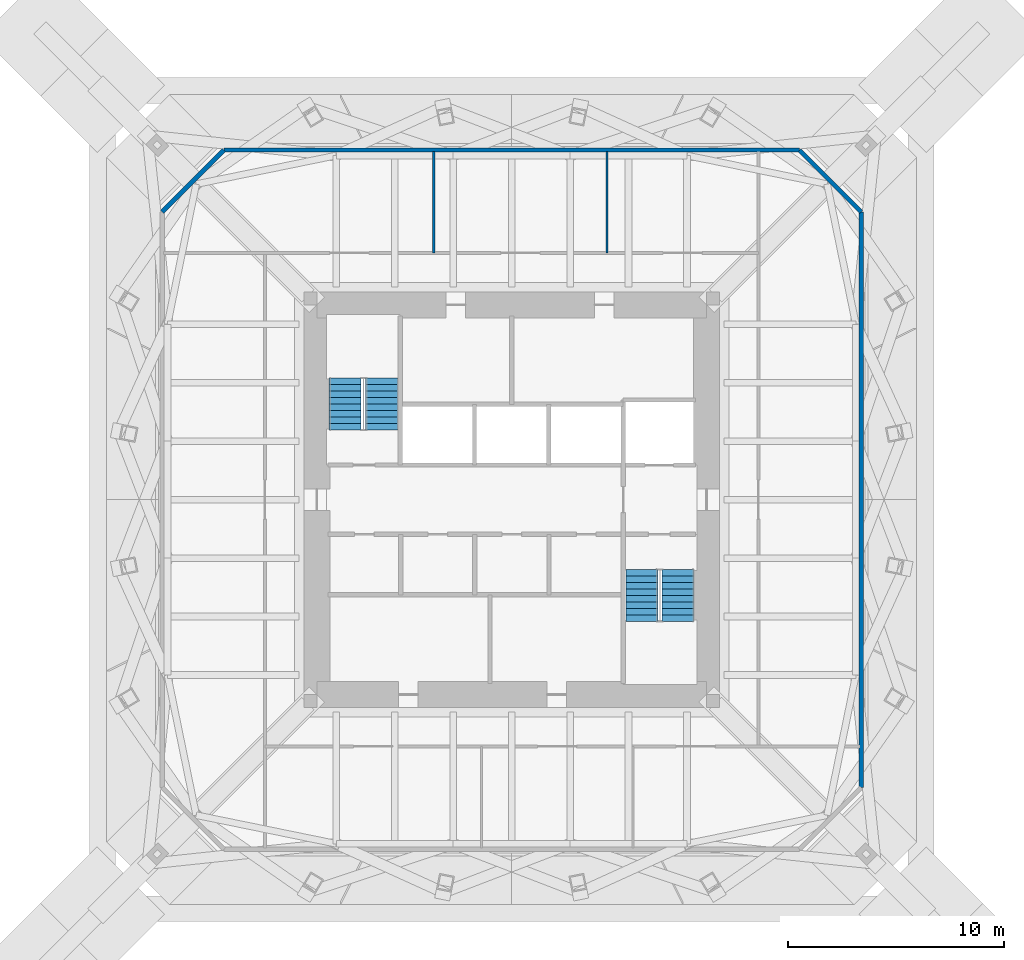
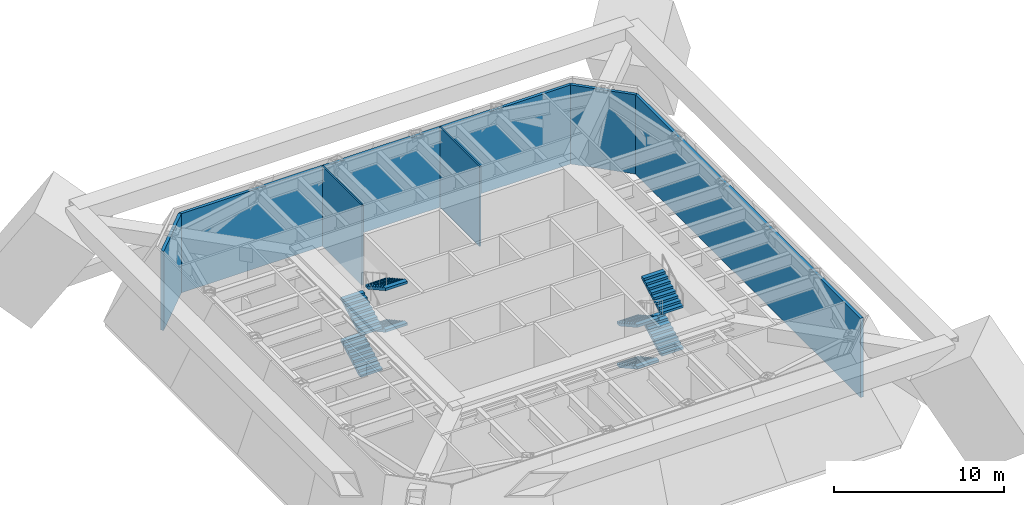
# One storey, part 5 of 6: 8 stair flights, 6 walls, 2 elements without a shape of their own.
"""IFC4 building model written with IfcOpenShell, lengths in metres."""

from ifc_helpers import new_model, si_unit, direction, frame, frame_2d, origin, place, context, subcontext, project, spatial, polyline, rectangle, outline, extrude, material, layer, layer_set, constituent, constituent_set, type_object, element, aggregate, save


model = new_model("IFC4")

# Units and contexts
model_context = context("Model", 3, precision=1e-05, world=origin(), true_north=direction((0.0, 1.0)))
body_context = subcontext(model_context, "Body", "Model", "MODEL_VIEW")
ifc_project = project(units=[si_unit("LENGTHUNIT", "METRE"), si_unit("AREAUNIT", "SQUARE_METRE"), si_unit("VOLUMEUNIT", "CUBIC_METRE"), si_unit("PLANEANGLEUNIT", "RADIAN"), si_unit("MASSUNIT", "GRAM", prefix="KILO")], contexts=[model_context])

# Site, building, storey
site_placement = place(None, origin())
site = spatial("IfcSite", under=ifc_project, at=site_placement, CompositionType="ELEMENT")
building_placement = place(site_placement, origin())
building = spatial("IfcBuilding", under=site, at=building_placement, Name="Iwan Alto Co-Living Towers", CompositionType="ELEMENT")
storey_placement = place(building_placement, frame((0.0, 0.0, 209.0)))
storey = spatial("IfcBuildingStorey", under=building, at=storey_placement, Name="L57", CompositionType="ELEMENT", Elevation=209.0)

# Walls
ifc_material_1 = material(Name="Gypsum board")
ifc_layer_1 = layer(ifc_material_1, 0.012451171875, Name="Board", Category="Finish")
ifc_material_2 = material(Name="Steel ASTM A1003 ST33H cold-formed studs", Category="steel")
ifc_layer_2 = layer(ifc_material_2, 0.074951171875, Name="Studs", Category="Framing")
ifc_layer_3 = layer(ifc_material_1, 0.012451171875, Name="Board", Category="Finish")
ifc_layer_set_1 = layer_set([ifc_layer_1, ifc_layer_2, ifc_layer_3], Name="PARTITION 100")
wall_type_1 = type_object("IfcWallType", Name="PARTITION 100", PredefinedType="PARTITIONING", material=ifc_layer_set_1)
for number, where, z_axis, x_axis, name in (
    (1, (4.39990234375, 11.39990234375, 0.0), (0.0, 0.0, 1.0), (0.0, 1.0, 0.0), "Partition L57"),
    (2, (-3.60009765625, 11.39990234375, 0.0), (0.0, 0.0, 1.0), (0.0, 1.0, 0.0), "Partition L57"),
):
    element("IfcWall", number, at=place(storey_placement, frame(where, z_axis=z_axis, x_axis=x_axis)), inside=storey, type_object=wall_type_1, Name=name, PredefinedType="PARTITIONING", context=body_context, shape_type="SweptSolid", body=[
        extrude(rectangle(XDim=4.690185546875, YDim=0.10009765625, at=frame_2d((2.34521484375, 0.0))), origin(), (0.0, 0.0, 1.0), 5.77001953125),
    ])
ifc_material_3 = material(Name="Aluminium 6063-T6 bronze anodised", Category="aluminium")
ifc_layer_4 = layer(ifc_material_3, 0.050048828125, Name="Louvred screen", Category="Finish")
ifc_layer_5 = layer(ifc_material_2, 0.14990234375, Name="Studs", Category="Framing")
ifc_layer_set_2 = layer_set([ifc_layer_4, ifc_layer_5], Name="PLANT PLENUM WALL 200")
wall_type_2 = type_object("IfcWallType", Name="PLANT PLENUM WALL 200", PredefinedType="PARTITIONING", material=ifc_layer_set_2)
wall_1_placement = place(storey_placement, frame((16.14990234375, -13.294921875, 0.0), z_axis=(0.0, 0.0, 1.0), x_axis=(0.0, 1.0, 0.0)))
element("IfcWall", 3, at=wall_1_placement, inside=storey, type_object=wall_type_2, Name="T1 plant plenum wall L57 3", PredefinedType="PARTITIONING", context=body_context, shape_type="SweptSolid", body=[
    extrude(rectangle(XDim=26.58984375, YDim=0.199951171875, at=frame_2d((13.294921875, 0.0))), origin(), (0.0, 0.0, 1.0), 5.699951171875),
])
wall_2_placement = place(storey_placement, frame((16.14990234375, 13.294921875, 0.0), z_axis=(0.0, 0.0, 1.0), x_axis=(-0.707106781187, 0.707106781187, 0.0)))
element("IfcWall", 4, at=wall_2_placement, inside=storey, type_object=wall_type_2, Name="T1 plant plenum wall L57 4", PredefinedType="PARTITIONING", context=body_context, shape_type="SweptSolid", body=[
    extrude(rectangle(XDim=4.03759765625, YDim=0.199951171875, at=frame_2d((2.018798828125, 0.0))), origin(), (0.0, 0.0, 1.0), 5.699951171875),
])
wall_3_placement = place(storey_placement, frame((13.294921875, 16.14990234375, 0.0), z_axis=(0.0, 0.0, 1.0), x_axis=(-1.0, 0.0, 0.0)))
element("IfcWall", 5, at=wall_3_placement, inside=storey, type_object=wall_type_2, Name="T1 plant plenum wall L57 5", PredefinedType="PARTITIONING", context=body_context, shape_type="SweptSolid", body=[
    extrude(rectangle(XDim=26.58984375, YDim=0.199951171875, at=frame_2d((13.294921875, 0.0))), origin(), (0.0, 0.0, 1.0), 5.699951171875),
])
wall_4_placement = place(storey_placement, frame((-13.294921875, 16.14990234375, 0.0), z_axis=(0.0, 0.0, 1.0), x_axis=(-0.707106781187, -0.707106781187, 0.0)))
element("IfcWall", 6, at=wall_4_placement, inside=storey, type_object=wall_type_2, Name="T1 plant plenum wall L57 6", PredefinedType="PARTITIONING", context=body_context, shape_type="SweptSolid", body=[
    extrude(rectangle(XDim=4.03759765625, YDim=0.199951171875, at=frame_2d((2.018798828125, 0.0))), origin(), (0.0, 0.0, 1.0), 5.699951171875),
])

# Stair, stair flights
ifc_material_4 = material(Name="Steel ASTM A36", Category="steel")
ifc_constituent_1 = constituent(ifc_material_4, Name="Stringers", Category="LoadBearing")
ifc_material_5 = material(Name="Concrete f'c 30 MPa", Category="concrete")
ifc_constituent_2 = constituent(ifc_material_5, Name="Tread fill", Category="Finish")
ifc_constituent_set_1 = constituent_set(constituents=[ifc_constituent_1, ifc_constituent_2], Name="STAIR 6000 FOUR-FLIGHT T1 CORE")
stair_type = type_object("IfcStairType", Name="STAIR 6000 FOUR-FLIGHT T1 CORE", PredefinedType="HALF_TURN_STAIR", material=ifc_constituent_set_1)
stair_1_placement = place(storey_placement, origin())
stair_1 = element("IfcStair", 7, at=stair_1_placement, inside=storey, type_object=stair_type, Name="Stair T1-S1 L57 to L58", PredefinedType="HALF_TURN_STAIR")
ifc_constituent_3 = constituent(ifc_material_4, Name="Stringers", Category="LoadBearing")
ifc_constituent_4 = constituent(ifc_material_5, Name="Tread fill", Category="Finish")
ifc_constituent_set_2 = constituent_set(constituents=[ifc_constituent_3, ifc_constituent_4], Name="STAIR FLIGHT 9 RISERS 300 GOING")
stair_flight_type = type_object("IfcStairFlightType", Name="STAIR FLIGHT 9 RISERS 300 GOING", PredefinedType="STRAIGHT", material=ifc_constituent_set_2)
stair_flight_1_placement = place(storey_placement, frame((-7.68994140625, 3.219970703125, 0.0), z_axis=(0.0, 0.0, 1.0), x_axis=(0.0, 1.0, 0.0)))
stair_flight_1 = element("IfcStairFlight", 8, at=stair_flight_1_placement, type_object=stair_flight_type, Name="T1-S1 flight 1", NumberOfRisers=9, NumberOfTreads=8, PredefinedType="STRAIGHT", RiserHeight=0.166667, TreadLength=0.3, context=body_context, shape_type="SweptSolid", body=[
    extrude(outline(polyline([(0.0, 0.0), (0.0, 0.166748046875), (0.300048828125, 0.166748046875), (0.300048828125, 0.333251953125), (0.60009765625, 0.333251953125), (0.60009765625, 0.5), (0.89990234375, 0.5), (0.89990234375, 0.666748046875), (1.199951171875, 0.666748046875), (1.199951171875, 0.833251953125), (1.5, 0.833251953125), (1.5, 1.0), (1.800048828125, 1.0), (1.800048828125, 1.166748046875), (2.10009765625, 1.166748046875), (2.10009765625, 1.333251953125), (2.39990234375, 1.333251953125), (2.39990234375, 1.5), (2.39990234375, 1.161865234375), (0.30859375, 0.0), (0.0, 0.0)])), frame((0.0, 0.739990234375, 0.0), z_axis=(0.0, -1.0, 0.0), x_axis=(1.0, 0.0, 0.0)), (0.0, 0.0, 1.0), 1.47998046875),
])
stair_flight_2_placement = place(storey_placement, frame((-6.010009765625, 5.6201171875, 1.5), z_axis=(0.0, 0.0, 1.0), x_axis=(0.0, -1.0, 0.0)))
stair_flight_2 = element("IfcStairFlight", 9, at=stair_flight_2_placement, type_object=stair_flight_type, Name="T1-S1 flight 2", NumberOfRisers=9, NumberOfTreads=8, PredefinedType="STRAIGHT", RiserHeight=0.166667, TreadLength=0.3, context=body_context, shape_type="SweptSolid", body=[
    extrude(outline(polyline([(0.0, 0.0), (0.0, 0.166748046875), (0.300048828125, 0.166748046875), (0.300048828125, 0.333251953125), (0.60009765625, 0.333251953125), (0.60009765625, 0.5), (0.89990234375, 0.5), (0.89990234375, 0.666748046875), (1.199951171875, 0.666748046875), (1.199951171875, 0.833251953125), (1.5, 0.833251953125), (1.5, 1.0), (1.800048828125, 1.0), (1.800048828125, 1.166748046875), (2.10009765625, 1.166748046875), (2.10009765625, 1.333251953125), (2.39990234375, 1.333251953125), (2.39990234375, 1.5), (2.39990234375, 1.161865234375), (0.30859375, 0.0), (0.0, 0.0)])), frame((0.0, 0.739990234375, 0.0), z_axis=(0.0, -1.0, 0.0), x_axis=(1.0, 0.0, 0.0)), (0.0, 0.0, 1.0), 1.47998046875),
])
stair_flight_3_placement = place(storey_placement, frame((-7.68994140625, 3.219970703125, 3.0), z_axis=(0.0, 0.0, 1.0), x_axis=(0.0, 1.0, 0.0)))
stair_flight_3 = element("IfcStairFlight", 10, at=stair_flight_3_placement, type_object=stair_flight_type, Name="T1-S1 flight 3", NumberOfRisers=9, NumberOfTreads=8, PredefinedType="STRAIGHT", RiserHeight=0.166667, TreadLength=0.3, context=body_context, shape_type="SweptSolid", body=[
    extrude(outline(polyline([(0.0, 0.0), (0.0, 0.166748046875), (0.300048828125, 0.166748046875), (0.300048828125, 0.333251953125), (0.60009765625, 0.333251953125), (0.60009765625, 0.5), (0.89990234375, 0.5), (0.89990234375, 0.666748046875), (1.199951171875, 0.666748046875), (1.199951171875, 0.833251953125), (1.5, 0.833251953125), (1.5, 1.0), (1.800048828125, 1.0), (1.800048828125, 1.166748046875), (2.10009765625, 1.166748046875), (2.10009765625, 1.333251953125), (2.39990234375, 1.333251953125), (2.39990234375, 1.5), (2.39990234375, 1.161865234375), (0.30859375, 0.0), (0.0, 0.0)])), frame((0.0, 0.739990234375, 0.0), z_axis=(0.0, -1.0, 0.0), x_axis=(1.0, 0.0, 0.0)), (0.0, 0.0, 1.0), 1.47998046875),
])
stair_flight_4_placement = place(storey_placement, frame((-6.010009765625, 5.6201171875, 4.5), z_axis=(0.0, 0.0, 1.0), x_axis=(0.0, -1.0, 0.0)))
stair_flight_4 = element("IfcStairFlight", 11, at=stair_flight_4_placement, type_object=stair_flight_type, Name="T1-S1 flight 4", NumberOfRisers=9, NumberOfTreads=8, PredefinedType="STRAIGHT", RiserHeight=0.166667, TreadLength=0.3, context=body_context, shape_type="SweptSolid", body=[
    extrude(outline(polyline([(0.0, 0.0), (0.0, 0.166748046875), (0.300048828125, 0.166748046875), (0.300048828125, 0.333251953125), (0.60009765625, 0.333251953125), (0.60009765625, 0.5), (0.89990234375, 0.5), (0.89990234375, 0.666748046875), (1.199951171875, 0.666748046875), (1.199951171875, 0.833251953125), (1.5, 0.833251953125), (1.5, 1.0), (1.800048828125, 1.0), (1.800048828125, 1.166748046875), (2.10009765625, 1.166748046875), (2.10009765625, 1.333251953125), (2.39990234375, 1.333251953125), (2.39990234375, 1.5), (2.39990234375, 1.161865234375), (0.30859375, 0.0), (0.0, 0.0)])), frame((0.0, 0.739990234375, 0.0), z_axis=(0.0, -1.0, 0.0), x_axis=(1.0, 0.0, 0.0)), (0.0, 0.0, 1.0), 1.47998046875),
])
aggregate(stair_1, [stair_flight_1, stair_flight_2, stair_flight_3, stair_flight_4])

stair_2_placement = place(storey_placement, origin())
stair_2 = element("IfcStair", 12, at=stair_2_placement, inside=storey, type_object=stair_type, Name="Stair T1-S2 L57 to L58", PredefinedType="HALF_TURN_STAIR")
stair_flight_5_placement = place(storey_placement, frame((6.010009765625, -3.219970703125, 0.0), z_axis=(0.0, 0.0, 1.0), x_axis=(0.0, -1.0, 0.0)))
stair_flight_5 = element("IfcStairFlight", 13, at=stair_flight_5_placement, type_object=stair_flight_type, Name="T1-S2 flight 1", NumberOfRisers=9, NumberOfTreads=8, PredefinedType="STRAIGHT", RiserHeight=0.166667, TreadLength=0.3, context=body_context, shape_type="SweptSolid", body=[
    extrude(outline(polyline([(0.0, 0.0), (0.0, 0.166748046875), (0.300048828125, 0.166748046875), (0.300048828125, 0.333251953125), (0.60009765625, 0.333251953125), (0.60009765625, 0.5), (0.89990234375, 0.5), (0.89990234375, 0.666748046875), (1.199951171875, 0.666748046875), (1.199951171875, 0.833251953125), (1.5, 0.833251953125), (1.5, 1.0), (1.800048828125, 1.0), (1.800048828125, 1.166748046875), (2.10009765625, 1.166748046875), (2.10009765625, 1.333251953125), (2.39990234375, 1.333251953125), (2.39990234375, 1.5), (2.39990234375, 1.161865234375), (0.30859375, 0.0), (0.0, 0.0)])), frame((0.0, 0.739990234375, 0.0), z_axis=(0.0, -1.0, 0.0), x_axis=(1.0, 0.0, 0.0)), (0.0, 0.0, 1.0), 1.47998046875),
])
stair_flight_6_placement = place(storey_placement, frame((7.68994140625, -5.6201171875, 1.5), z_axis=(0.0, 0.0, 1.0), x_axis=(0.0, 1.0, 0.0)))
stair_flight_6 = element("IfcStairFlight", 14, at=stair_flight_6_placement, type_object=stair_flight_type, Name="T1-S2 flight 2", NumberOfRisers=9, NumberOfTreads=8, PredefinedType="STRAIGHT", RiserHeight=0.166667, TreadLength=0.3, context=body_context, shape_type="SweptSolid", body=[
    extrude(outline(polyline([(0.0, 0.0), (0.0, 0.166748046875), (0.300048828125, 0.166748046875), (0.300048828125, 0.333251953125), (0.60009765625, 0.333251953125), (0.60009765625, 0.5), (0.89990234375, 0.5), (0.89990234375, 0.666748046875), (1.199951171875, 0.666748046875), (1.199951171875, 0.833251953125), (1.5, 0.833251953125), (1.5, 1.0), (1.800048828125, 1.0), (1.800048828125, 1.166748046875), (2.10009765625, 1.166748046875), (2.10009765625, 1.333251953125), (2.39990234375, 1.333251953125), (2.39990234375, 1.5), (2.39990234375, 1.161865234375), (0.30859375, 0.0), (0.0, 0.0)])), frame((0.0, 0.739990234375, 0.0), z_axis=(0.0, -1.0, 0.0), x_axis=(1.0, 0.0, 0.0)), (0.0, 0.0, 1.0), 1.47998046875),
])
stair_flight_7_placement = place(storey_placement, frame((6.010009765625, -3.219970703125, 3.0), z_axis=(0.0, 0.0, 1.0), x_axis=(0.0, -1.0, 0.0)))
stair_flight_7 = element("IfcStairFlight", 15, at=stair_flight_7_placement, type_object=stair_flight_type, Name="T1-S2 flight 3", NumberOfRisers=9, NumberOfTreads=8, PredefinedType="STRAIGHT", RiserHeight=0.166667, TreadLength=0.3, context=body_context, shape_type="SweptSolid", body=[
    extrude(outline(polyline([(0.0, 0.0), (0.0, 0.166748046875), (0.300048828125, 0.166748046875), (0.300048828125, 0.333251953125), (0.60009765625, 0.333251953125), (0.60009765625, 0.5), (0.89990234375, 0.5), (0.89990234375, 0.666748046875), (1.199951171875, 0.666748046875), (1.199951171875, 0.833251953125), (1.5, 0.833251953125), (1.5, 1.0), (1.800048828125, 1.0), (1.800048828125, 1.166748046875), (2.10009765625, 1.166748046875), (2.10009765625, 1.333251953125), (2.39990234375, 1.333251953125), (2.39990234375, 1.5), (2.39990234375, 1.161865234375), (0.30859375, 0.0), (0.0, 0.0)])), frame((0.0, 0.739990234375, 0.0), z_axis=(0.0, -1.0, 0.0), x_axis=(1.0, 0.0, 0.0)), (0.0, 0.0, 1.0), 1.47998046875),
])
stair_flight_8_placement = place(storey_placement, frame((7.68994140625, -5.6201171875, 4.5), z_axis=(0.0, 0.0, 1.0), x_axis=(0.0, 1.0, 0.0)))
stair_flight_8 = element("IfcStairFlight", 16, at=stair_flight_8_placement, type_object=stair_flight_type, Name="T1-S2 flight 4", NumberOfRisers=9, NumberOfTreads=8, PredefinedType="STRAIGHT", RiserHeight=0.166667, TreadLength=0.3, context=body_context, shape_type="SweptSolid", body=[
    extrude(outline(polyline([(0.0, 0.0), (0.0, 0.166748046875), (0.300048828125, 0.166748046875), (0.300048828125, 0.333251953125), (0.60009765625, 0.333251953125), (0.60009765625, 0.5), (0.89990234375, 0.5), (0.89990234375, 0.666748046875), (1.199951171875, 0.666748046875), (1.199951171875, 0.833251953125), (1.5, 0.833251953125), (1.5, 1.0), (1.800048828125, 1.0), (1.800048828125, 1.166748046875), (2.10009765625, 1.166748046875), (2.10009765625, 1.333251953125), (2.39990234375, 1.333251953125), (2.39990234375, 1.5), (2.39990234375, 1.161865234375), (0.30859375, 0.0), (0.0, 0.0)])), frame((0.0, 0.739990234375, 0.0), z_axis=(0.0, -1.0, 0.0), x_axis=(1.0, 0.0, 0.0)), (0.0, 0.0, 1.0), 1.47998046875),
])
aggregate(stair_2, [stair_flight_5, stair_flight_6, stair_flight_7, stair_flight_8])

save(model, "model.ifc")
